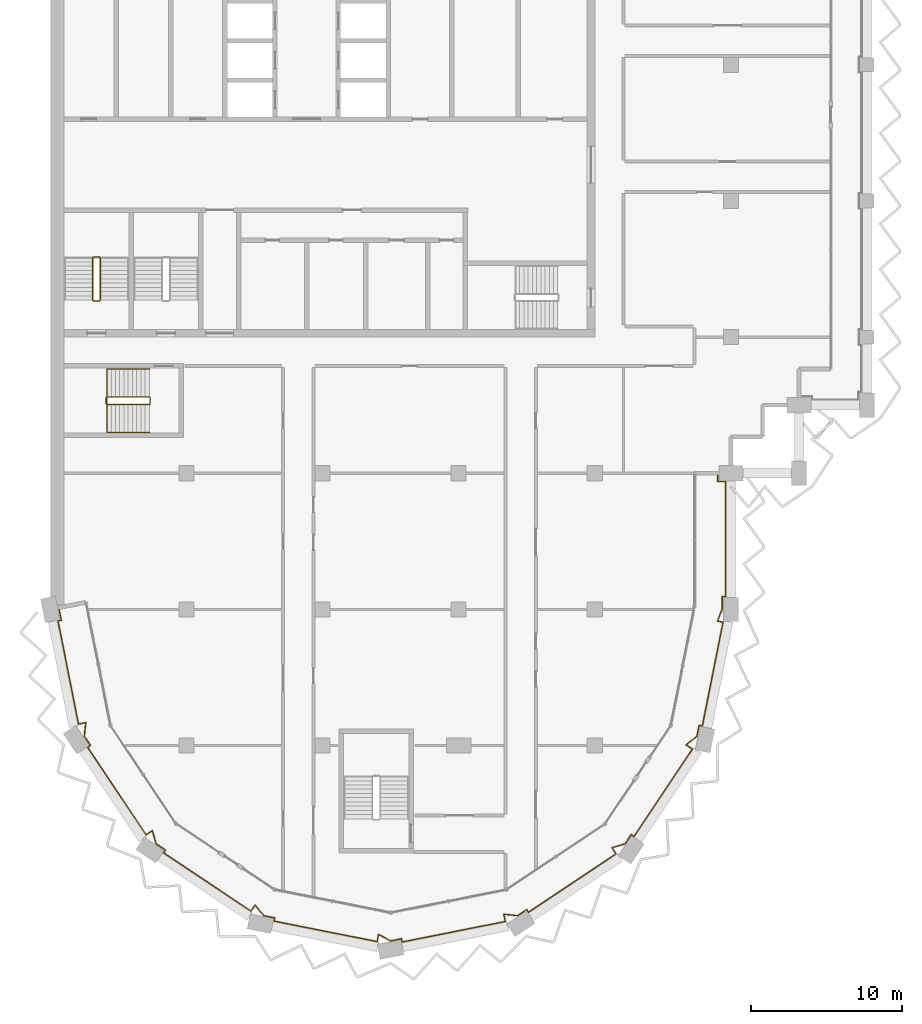
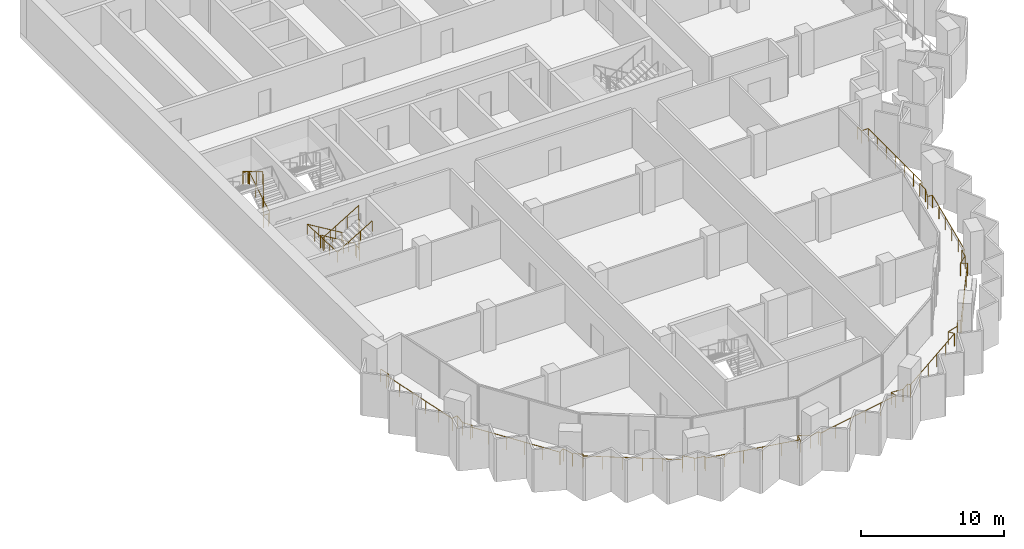
# One storey, part 14 of 16: 4 railings.
"""IFC4 building model written with IfcOpenShell, lengths in metres."""

from ifc_helpers import new_model, si_unit, direction, frame, origin, origin_2d, place, context, subcontext, project, spatial, circle, extrude, material, type_object, element, save


model = new_model("IFC4")

# Units and contexts
model_context = context("Model", 3, precision=1e-05, world=origin(), true_north=direction((0.0, 1.0)))
body_context = subcontext(model_context, "Body", "Model", "MODEL_VIEW")
ifc_project = project(units=[si_unit("LENGTHUNIT", "METRE"), si_unit("AREAUNIT", "SQUARE_METRE"), si_unit("VOLUMEUNIT", "CUBIC_METRE"), si_unit("PLANEANGLEUNIT", "RADIAN"), si_unit("MASSUNIT", "GRAM", prefix="KILO")], contexts=[model_context])

# Site, building, storey
site_placement = place(None, origin())
site = spatial("IfcSite", under=ifc_project, at=site_placement, CompositionType="ELEMENT")
building_placement = place(site_placement, origin())
building = spatial("IfcBuilding", under=site, at=building_placement, Name="Hunhe Ridgeline Campus", CompositionType="ELEMENT")
storey_placement = place(building_placement, frame((0.0, 0.0, 250.300048828125)))
storey = spatial("IfcBuildingStorey", under=building, at=storey_placement, Name="L64", CompositionType="ELEMENT", Elevation=250.300048828125)

# Railings
ifc_material_1 = material(Name="Steel Q355", Category="steel")
railing_type_1 = type_object("IfcRailingType", Name="Loggia guard 1100 Steel Q355", PredefinedType="GUARDRAIL", material=ifc_material_1)
railing_1_placement = place(storey_placement, frame((0.55908203125, 45.111083984375, 0.0)))
element("IfcRailing", 1, at=railing_1_placement, inside=storey, type_object=railing_type_1, Name="Loggia guard 1", PredefinedType="GUARDRAIL", context=body_context, shape_type="SweptSolid", body=[
    extrude(circle(Radius=0.02392578125, at=origin_2d()), frame((0.0, 0.0, 1.076171875), z_axis=(0.195066328581, -0.980790052689, 0.0), x_axis=(0.980790052689, 0.195066328581, 0.0)), (0.0, 0.0, 1.0), 0.849853515625),
    extrude(circle(Radius=0.02392578125, at=origin_2d()), frame((0.165771484375, -0.83349609375, 1.076171875), z_axis=(-0.980750988442, -0.195262640233, 0.0), x_axis=(0.195262640233, -0.980750988442, 0.0)), (0.0, 0.0, 1.0), 0.219970703125),
    extrude(circle(Radius=0.02392578125, at=origin_2d()), frame((-0.050048828125, -0.87646484375, 1.076171875), z_axis=(0.1951025318, -0.980782851647, 0.0), x_axis=(0.980782851647, 0.1951025318, 0.0)), (0.0, 0.0, 1.0), 6.94873046875),
    extrude(circle(Radius=0.02392578125, at=origin_2d()), frame((1.3056640625, -7.691650390625, 1.076171875), z_axis=(0.980791706313, 0.195058014004, 0.0), x_axis=(-0.195058014004, 0.980791706313, 0.0)), (0.0, 0.0, 1.0), 0.488037109375),
    extrude(circle(Radius=0.02392578125, at=origin_2d()), frame((1.784423828125, -7.596435546875, 1.076171875), z_axis=(-0.103312201106, -0.994648977832, 0.0), x_axis=(0.994648977832, -0.103312201106, 0.0)), (0.0, 0.0, 1.0), 0.907470703125),
    extrude(circle(Radius=0.02392578125, at=origin_2d()), frame((1.690673828125, -8.4990234375, 1.076171875), z_axis=(0.555464783965, -0.831540061437, 0.0), x_axis=(0.831540061437, 0.555464783965, 0.0)), (0.0, 0.0, 1.0), 0.736572265625),
    extrude(circle(Radius=0.02392578125, at=origin_2d()), frame((2.099853515625, -9.111572265625, 1.076171875), z_axis=(-0.831708467209, -0.555212594933, 0.0), x_axis=(0.555212594933, -0.831708467209, 0.0)), (0.0, 0.0, 1.0), 0.219970703125),
    extrude(circle(Radius=0.02392578125, at=origin_2d()), frame((1.9169921875, -9.233642578125, 1.076171875), z_axis=(0.555559363791, -0.831476874786, 0.0), x_axis=(0.831476874786, 0.555559363791, 0.0)), (0.0, 0.0, 1.0), 6.948486328125),
    extrude(circle(Radius=0.02392578125, at=origin_2d()), frame((5.77734375, -15.01123046875, 1.076171875), z_axis=(0.831588140797, 0.555392801615, 0.0), x_axis=(-0.555392801615, 0.831588140797, 0.0)), (0.0, 0.0, 1.0), 0.488037109375),
    extrude(circle(Radius=0.02392578125, at=origin_2d()), frame((6.18310546875, -14.740234375, 1.076171875), z_axis=(0.285150626135, -0.958482717849, 0.0), x_axis=(0.958482717849, 0.285150626135, 0.0)), (0.0, 0.0, 1.0), 0.907470703125),
    extrude(circle(Radius=0.02392578125, at=origin_2d()), frame((6.44189453125, -15.610107421875, 1.076171875), z_axis=(0.831540061437, -0.555464783965, 0.0), x_axis=(0.555464783965, 0.831540061437, 0.0)), (0.0, 0.0, 1.0), 0.736572265625),
    extrude(circle(Radius=0.02392578125, at=origin_2d()), frame((7.054443359375, -16.019287109375, 1.076171875), z_axis=(-0.555980009223, -0.831195662491, 0.0), x_axis=(0.831195662491, -0.555980009223, 0.0)), (0.0, 0.0, 1.0), 0.219970703125),
    extrude(circle(Radius=0.02392578125, at=origin_2d()), frame((6.93212890625, -16.2021484375, 1.076171875), z_axis=(0.831460644532, -0.555583654003, 0.0), x_axis=(0.555583654003, 0.831460644532, 0.0)), (0.0, 0.0, 1.0), 6.94873046875),
    extrude(circle(Radius=0.02392578125, at=origin_2d()), frame((12.709716796875, -20.062744140625, 1.076171875), z_axis=(0.555507638283, 0.831511433361, 0.0), x_axis=(-0.831511433361, 0.555507638283, 0.0)), (0.0, 0.0, 1.0), 0.48828125),
    extrude(circle(Radius=0.02392578125, at=origin_2d()), frame((12.98095703125, -19.65673828125, 1.076171875), z_axis=(0.630288754525, -0.776360796227, 0.0), x_axis=(0.776360796227, 0.630288754525, 0.0)), (0.0, 0.0, 1.0), 0.907470703125),
    extrude(circle(Radius=0.02392578125, at=origin_2d()), frame((13.552978515625, -20.361328125, 1.076171875), z_axis=(0.980758742397, -0.19522369019, 0.0), x_axis=(0.19522369019, 0.980758742397, 0.0)), (0.0, 0.0, 1.0), 0.736572265625),
    extrude(circle(Radius=0.02392578125, at=origin_2d()), frame((14.275390625, -20.505126953125, 1.076171875), z_axis=(-0.195262640233, -0.980750988442, 0.0), x_axis=(0.980750988442, -0.195262640233, 0.0)), (0.0, 0.0, 1.0), 0.219970703125),
    extrude(circle(Radius=0.02392578125, at=origin_2d()), frame((14.232421875, -20.720947265625, 1.076171875), z_axis=(0.980789574233, -0.195068734234, 0.0), x_axis=(0.195068734234, 0.980789574233, 0.0)), (0.0, 0.0, 1.0), 6.94873046875),
    extrude(circle(Radius=0.02392578125, at=origin_2d()), frame((21.047607421875, -22.076416015625, 1.076171875), z_axis=(0.195153744134, 0.980772662828, 0.0), x_axis=(-0.980772662828, 0.195153744134, 0.0)), (0.0, 0.0, 1.0), 0.48779296875),
    extrude(circle(Radius=0.02392578125, at=origin_2d()), frame((21.142822265625, -21.597900390625, 1.076171875), z_axis=(0.879371752487, -0.476135821934, 0.0), x_axis=(0.476135821934, 0.879371752487, 0.0)), (0.0, 0.0, 1.0), 0.907470703125),
    extrude(circle(Radius=0.02392578125, at=origin_2d()), frame((21.94091796875, -22.030029296875, 1.076171875), z_axis=(0.980758742397, 0.19522369019, 0.0), x_axis=(-0.19522369019, 0.980758742397, 0.0)), (0.0, 0.0, 1.0), 0.736572265625),
    extrude(circle(Radius=0.02392578125, at=origin_2d()), frame((22.663330078125, -21.88623046875, 1.076171875), z_axis=(0.195262640233, -0.980750988442, 0.0), x_axis=(0.980750988442, 0.195262640233, 0.0)), (0.0, 0.0, 1.0), 0.219970703125),
    extrude(circle(Radius=0.02392578125, at=origin_2d()), frame((22.706298828125, -22.10205078125, 1.076171875), z_axis=(0.980782851647, 0.1951025318, 0.0), x_axis=(-0.1951025318, 0.980782851647, 0.0)), (0.0, 0.0, 1.0), 6.94873046875),
    extrude(circle(Radius=0.02392578125, at=origin_2d()), frame((29.521484375, -20.746337890625, 1.076171875), z_axis=(-0.195058014004, 0.980791706313, 0.0), x_axis=(-0.980791706313, -0.195058014004, 0.0)), (0.0, 0.0, 1.0), 0.488037109375),
    extrude(circle(Radius=0.02392578125, at=origin_2d()), frame((29.42626953125, -20.267578125, 1.076171875), z_axis=(0.994648977832, -0.103312201106, 0.0), x_axis=(0.103312201106, 0.994648977832, 0.0)), (0.0, 0.0, 1.0), 0.907470703125),
    extrude(circle(Radius=0.02392578125, at=origin_2d()), frame((30.328857421875, -20.361328125, 1.076171875), z_axis=(0.831540061437, 0.555464783965, 0.0), x_axis=(-0.555464783965, 0.831540061437, 0.0)), (0.0, 0.0, 1.0), 0.736572265625),
    extrude(circle(Radius=0.02392578125, at=origin_2d()), frame((30.94140625, -19.9521484375, 1.076171875), z_axis=(0.555212594933, -0.831708467209, 0.0), x_axis=(0.831708467209, 0.555212594933, 0.0)), (0.0, 0.0, 1.0), 0.219970703125),
    extrude(circle(Radius=0.02392578125, at=origin_2d()), frame((31.0634765625, -20.135009765625, 1.076171875), z_axis=(0.831476874786, 0.555559363791, 0.0), x_axis=(-0.555559363791, 0.831476874786, 0.0)), (0.0, 0.0, 1.0), 6.948486328125),
    extrude(circle(Radius=0.02392578125, at=origin_2d()), frame((36.841064453125, -16.274658203125, 1.076171875), z_axis=(-0.555392801615, 0.831588140797, 0.0), x_axis=(-0.831588140797, -0.555392801615, 0.0)), (0.0, 0.0, 1.0), 0.488037109375),
    extrude(circle(Radius=0.02392578125, at=origin_2d()), frame((36.570068359375, -15.868896484375, 1.076171875), z_axis=(0.958482717849, 0.285150626135, 0.0), x_axis=(-0.285150626135, 0.958482717849, 0.0)), (0.0, 0.0, 1.0), 0.907470703125),
    extrude(circle(Radius=0.02392578125, at=origin_2d()), frame((37.43994140625, -15.610107421875, 1.076171875), z_axis=(0.555464783965, 0.831540061437, 0.0), x_axis=(-0.831540061437, 0.555464783965, 0.0)), (0.0, 0.0, 1.0), 0.736572265625),
    extrude(circle(Radius=0.02392578125, at=origin_2d()), frame((37.84912109375, -14.99755859375, 1.076171875), z_axis=(0.831195662491, -0.555980009223, 0.0), x_axis=(0.555980009223, 0.831195662491, 0.0)), (0.0, 0.0, 1.0), 0.219970703125),
    extrude(circle(Radius=0.02392578125, at=origin_2d()), frame((38.031982421875, -15.119873046875, 1.076171875), z_axis=(0.555583654003, 0.831460644532, 0.0), x_axis=(-0.831460644532, 0.555583654003, 0.0)), (0.0, 0.0, 1.0), 6.94873046875),
    extrude(circle(Radius=0.02392578125, at=origin_2d()), frame((41.892578125, -9.34228515625, 1.076171875), z_axis=(-0.831511433361, 0.555507638283, 0.0), x_axis=(-0.555507638283, -0.831511433361, 0.0)), (0.0, 0.0, 1.0), 0.48828125),
    extrude(circle(Radius=0.02392578125, at=origin_2d()), frame((41.486572265625, -9.071044921875, 1.076171875), z_axis=(0.776360796227, 0.630288754525, 0.0), x_axis=(-0.630288754525, 0.776360796227, 0.0)), (0.0, 0.0, 1.0), 0.907470703125),
    extrude(circle(Radius=0.02392578125, at=origin_2d()), frame((42.191162109375, -8.4990234375, 1.076171875), z_axis=(0.19522369019, 0.980758742397, 0.0), x_axis=(-0.980758742397, 0.19522369019, 0.0)), (0.0, 0.0, 1.0), 0.736572265625),
    extrude(circle(Radius=0.02392578125, at=origin_2d()), frame((42.3349609375, -7.776611328125, 1.076171875), z_axis=(0.980750988442, -0.195262640233, 0.0), x_axis=(0.195262640233, 0.980750988442, 0.0)), (0.0, 0.0, 1.0), 0.219970703125),
    extrude(circle(Radius=0.02392578125, at=origin_2d()), frame((42.55078125, -7.819580078125, 1.076171875), z_axis=(0.195082678264, 0.980786800809, 0.0), x_axis=(-0.980786800809, 0.195082678264, 0.0)), (0.0, 0.0, 1.0), 6.9970703125),
    extrude(circle(Radius=0.02392578125, at=origin_2d()), frame((43.915771484375, -0.95703125, 1.076171875), z_axis=(-0.980759647752, 0.195219141842, 0.0), x_axis=(-0.195219141842, -0.980759647752, 0.0)), (0.0, 0.0, 1.0), 0.366455078125),
    extrude(circle(Radius=0.02392578125, at=origin_2d()), frame((43.556396484375, -0.885498046875, 1.076171875), z_axis=(0.354074070723, 0.935217382453, 0.0), x_axis=(-0.935217382453, 0.354074070723, 0.0)), (0.0, 0.0, 1.0), 0.88818359375),
    extrude(circle(Radius=0.02392578125, at=origin_2d()), frame((43.870849609375, -0.054931640625, 1.076171875), z_axis=(0.0, 1.0, 0.0), x_axis=(-1.0, 0.0, 0.0)), (0.0, 0.0, 1.0), 0.7939453125),
    extrude(circle(Radius=0.02392578125, at=origin_2d()), frame((43.870849609375, 0.739013671875, 1.076171875), z_axis=(1.0, 0.0, 0.0), x_axis=(0.0, 1.0, 0.0)), (0.0, 0.0, 1.0), 0.219970703125),
    extrude(circle(Radius=0.02392578125, at=origin_2d()), frame((44.0908203125, 0.739013671875, 1.076171875), z_axis=(0.0, 1.0, 0.0), x_axis=(-1.0, 0.0, 0.0)), (0.0, 0.0, 1.0), 7.599853515625),
    extrude(circle(Radius=0.02392578125, at=origin_2d()), frame((44.0908203125, 8.3388671875, 1.076171875), z_axis=(-1.0, 0.0, 0.0), x_axis=(0.0, -1.0, 0.0)), (0.0, 0.0, 1.0), 0.52001953125),
    extrude(circle(Radius=0.02392578125, at=origin_2d()), frame((43.57080078125, 8.3388671875, 1.076171875), z_axis=(0.0, 1.0, 0.0), x_axis=(-1.0, 0.0, 0.0)), (0.0, 0.0, 1.0), 0.550048828125),
    extrude(circle(Radius=0.02099609375, at=origin_2d()), origin(), (0.0, 0.0, 1.0), 1.052001953125),
    extrude(circle(Radius=0.02099609375, at=origin_2d()), frame((0.165771484375, -0.83349609375, 0.0)), (0.0, 0.0, 1.0), 1.052001953125),
    extrude(circle(Radius=0.02099609375, at=origin_2d()), frame((-0.050048828125, -0.87646484375, 0.0)), (0.0, 0.0, 1.0), 1.052001953125),
    extrude(circle(Radius=0.02099609375, at=origin_2d()), frame((0.22119140625, -2.239501953125, 0.0)), (0.0, 0.0, 1.0), 1.052001953125),
    extrude(circle(Radius=0.02099609375, at=origin_2d()), frame((0.4921875, -3.6025390625, 0.0)), (0.0, 0.0, 1.0), 1.052001953125),
    extrude(circle(Radius=0.02099609375, at=origin_2d()), frame((0.763427734375, -4.965576171875, 0.0)), (0.0, 0.0, 1.0), 1.052001953125),
    extrude(circle(Radius=0.02099609375, at=origin_2d()), frame((1.034423828125, -6.32861328125, 0.0)), (0.0, 0.0, 1.0), 1.052001953125),
    extrude(circle(Radius=0.02099609375, at=origin_2d()), frame((1.3056640625, -7.691650390625, 0.0)), (0.0, 0.0, 1.0), 1.052001953125),
    extrude(circle(Radius=0.02099609375, at=origin_2d()), frame((1.784423828125, -7.596435546875, 0.0)), (0.0, 0.0, 1.0), 1.052001953125),
    extrude(circle(Radius=0.02099609375, at=origin_2d()), frame((1.690673828125, -8.4990234375, 0.0)), (0.0, 0.0, 1.0), 1.052001953125),
    extrude(circle(Radius=0.02099609375, at=origin_2d()), frame((2.099853515625, -9.111572265625, 0.0)), (0.0, 0.0, 1.0), 1.052001953125),
    extrude(circle(Radius=0.02099609375, at=origin_2d()), frame((1.9169921875, -9.233642578125, 0.0)), (0.0, 0.0, 1.0), 1.052001953125),
    extrude(circle(Radius=0.02099609375, at=origin_2d()), frame((2.68896484375, -10.38916015625, 0.0)), (0.0, 0.0, 1.0), 1.052001953125),
    extrude(circle(Radius=0.02099609375, at=origin_2d()), frame((3.461181640625, -11.544677734375, 0.0)), (0.0, 0.0, 1.0), 1.052001953125),
    extrude(circle(Radius=0.02099609375, at=origin_2d()), frame((4.233154296875, -12.7001953125, 0.0)), (0.0, 0.0, 1.0), 1.052001953125),
    extrude(circle(Radius=0.02099609375, at=origin_2d()), frame((5.00537109375, -13.855712890625, 0.0)), (0.0, 0.0, 1.0), 1.052001953125),
    extrude(circle(Radius=0.02099609375, at=origin_2d()), frame((5.77734375, -15.01123046875, 0.0)), (0.0, 0.0, 1.0), 1.052001953125),
    extrude(circle(Radius=0.02099609375, at=origin_2d()), frame((6.18310546875, -14.740234375, 0.0)), (0.0, 0.0, 1.0), 1.052001953125),
    extrude(circle(Radius=0.02099609375, at=origin_2d()), frame((6.44189453125, -15.610107421875, 0.0)), (0.0, 0.0, 1.0), 1.052001953125),
    extrude(circle(Radius=0.02099609375, at=origin_2d()), frame((7.054443359375, -16.019287109375, 0.0)), (0.0, 0.0, 1.0), 1.052001953125),
    extrude(circle(Radius=0.02099609375, at=origin_2d()), frame((6.93212890625, -16.2021484375, 0.0)), (0.0, 0.0, 1.0), 1.052001953125),
    extrude(circle(Radius=0.02099609375, at=origin_2d()), frame((8.087646484375, -16.974365234375, 0.0)), (0.0, 0.0, 1.0), 1.052001953125),
    extrude(circle(Radius=0.02099609375, at=origin_2d()), frame((9.2431640625, -17.746337890625, 0.0)), (0.0, 0.0, 1.0), 1.052001953125),
    extrude(circle(Radius=0.02099609375, at=origin_2d()), frame((10.398681640625, -18.5185546875, 0.0)), (0.0, 0.0, 1.0), 1.052001953125),
    extrude(circle(Radius=0.02099609375, at=origin_2d()), frame((11.55419921875, -19.29052734375, 0.0)), (0.0, 0.0, 1.0), 1.052001953125),
    extrude(circle(Radius=0.02099609375, at=origin_2d()), frame((12.709716796875, -20.062744140625, 0.0)), (0.0, 0.0, 1.0), 1.052001953125),
    extrude(circle(Radius=0.02099609375, at=origin_2d()), frame((12.98095703125, -19.65673828125, 0.0)), (0.0, 0.0, 1.0), 1.052001953125),
    extrude(circle(Radius=0.02099609375, at=origin_2d()), frame((13.552978515625, -20.361328125, 0.0)), (0.0, 0.0, 1.0), 1.052001953125),
    extrude(circle(Radius=0.02099609375, at=origin_2d()), frame((14.275390625, -20.505126953125, 0.0)), (0.0, 0.0, 1.0), 1.052001953125),
    extrude(circle(Radius=0.02099609375, at=origin_2d()), frame((14.232421875, -20.720947265625, 0.0)), (0.0, 0.0, 1.0), 1.052001953125),
    extrude(circle(Radius=0.02099609375, at=origin_2d()), frame((15.595458984375, -20.991943359375, 0.0)), (0.0, 0.0, 1.0), 1.052001953125),
    extrude(circle(Radius=0.02099609375, at=origin_2d()), frame((16.95849609375, -21.26318359375, 0.0)), (0.0, 0.0, 1.0), 1.052001953125),
    extrude(circle(Radius=0.02099609375, at=origin_2d()), frame((18.321533203125, -21.5341796875, 0.0)), (0.0, 0.0, 1.0), 1.052001953125),
    extrude(circle(Radius=0.02099609375, at=origin_2d()), frame((19.6845703125, -21.805419921875, 0.0)), (0.0, 0.0, 1.0), 1.052001953125),
    extrude(circle(Radius=0.02099609375, at=origin_2d()), frame((21.047607421875, -22.076416015625, 0.0)), (0.0, 0.0, 1.0), 1.052001953125),
    extrude(circle(Radius=0.02099609375, at=origin_2d()), frame((21.142822265625, -21.597900390625, 0.0)), (0.0, 0.0, 1.0), 1.052001953125),
    extrude(circle(Radius=0.02099609375, at=origin_2d()), frame((21.94091796875, -22.030029296875, 0.0)), (0.0, 0.0, 1.0), 1.052001953125),
    extrude(circle(Radius=0.02099609375, at=origin_2d()), frame((22.663330078125, -21.88623046875, 0.0)), (0.0, 0.0, 1.0), 1.052001953125),
    extrude(circle(Radius=0.02099609375, at=origin_2d()), frame((22.706298828125, -22.10205078125, 0.0)), (0.0, 0.0, 1.0), 1.052001953125),
    extrude(circle(Radius=0.02099609375, at=origin_2d()), frame((24.0693359375, -21.830810546875, 0.0)), (0.0, 0.0, 1.0), 1.052001953125),
    extrude(circle(Radius=0.02099609375, at=origin_2d()), frame((25.432373046875, -21.559814453125, 0.0)), (0.0, 0.0, 1.0), 1.052001953125),
    extrude(circle(Radius=0.02099609375, at=origin_2d()), frame((26.79541015625, -21.28857421875, 0.0)), (0.0, 0.0, 1.0), 1.052001953125),
    extrude(circle(Radius=0.02099609375, at=origin_2d()), frame((28.158447265625, -21.017578125, 0.0)), (0.0, 0.0, 1.0), 1.052001953125),
    extrude(circle(Radius=0.02099609375, at=origin_2d()), frame((29.521484375, -20.746337890625, 0.0)), (0.0, 0.0, 1.0), 1.052001953125),
    extrude(circle(Radius=0.02099609375, at=origin_2d()), frame((29.42626953125, -20.267578125, 0.0)), (0.0, 0.0, 1.0), 1.052001953125),
    extrude(circle(Radius=0.02099609375, at=origin_2d()), frame((30.328857421875, -20.361328125, 0.0)), (0.0, 0.0, 1.0), 1.052001953125),
    extrude(circle(Radius=0.02099609375, at=origin_2d()), frame((30.94140625, -19.9521484375, 0.0)), (0.0, 0.0, 1.0), 1.052001953125),
    extrude(circle(Radius=0.02099609375, at=origin_2d()), frame((31.0634765625, -20.135009765625, 0.0)), (0.0, 0.0, 1.0), 1.052001953125),
    extrude(circle(Radius=0.02099609375, at=origin_2d()), frame((32.218994140625, -19.363037109375, 0.0)), (0.0, 0.0, 1.0), 1.052001953125),
    extrude(circle(Radius=0.02099609375, at=origin_2d()), frame((33.37451171875, -18.5908203125, 0.0)), (0.0, 0.0, 1.0), 1.052001953125),
    extrude(circle(Radius=0.02099609375, at=origin_2d()), frame((34.530029296875, -17.81884765625, 0.0)), (0.0, 0.0, 1.0), 1.052001953125),
    extrude(circle(Radius=0.02099609375, at=origin_2d()), frame((35.685546875, -17.046630859375, 0.0)), (0.0, 0.0, 1.0), 1.052001953125),
    extrude(circle(Radius=0.02099609375, at=origin_2d()), frame((36.841064453125, -16.274658203125, 0.0)), (0.0, 0.0, 1.0), 1.052001953125),
    extrude(circle(Radius=0.02099609375, at=origin_2d()), frame((36.570068359375, -15.868896484375, 0.0)), (0.0, 0.0, 1.0), 1.052001953125),
    extrude(circle(Radius=0.02099609375, at=origin_2d()), frame((37.43994140625, -15.610107421875, 0.0)), (0.0, 0.0, 1.0), 1.052001953125),
    extrude(circle(Radius=0.02099609375, at=origin_2d()), frame((37.84912109375, -14.99755859375, 0.0)), (0.0, 0.0, 1.0), 1.052001953125),
    extrude(circle(Radius=0.02099609375, at=origin_2d()), frame((38.031982421875, -15.119873046875, 0.0)), (0.0, 0.0, 1.0), 1.052001953125),
    extrude(circle(Radius=0.02099609375, at=origin_2d()), frame((38.80419921875, -13.96435546875, 0.0)), (0.0, 0.0, 1.0), 1.052001953125),
    extrude(circle(Radius=0.02099609375, at=origin_2d()), frame((39.576171875, -12.808837890625, 0.0)), (0.0, 0.0, 1.0), 1.052001953125),
    extrude(circle(Radius=0.02099609375, at=origin_2d()), frame((40.348388671875, -11.6533203125, 0.0)), (0.0, 0.0, 1.0), 1.052001953125),
    extrude(circle(Radius=0.02099609375, at=origin_2d()), frame((41.120361328125, -10.497802734375, 0.0)), (0.0, 0.0, 1.0), 1.052001953125),
    extrude(circle(Radius=0.02099609375, at=origin_2d()), frame((41.892578125, -9.34228515625, 0.0)), (0.0, 0.0, 1.0), 1.052001953125),
    extrude(circle(Radius=0.02099609375, at=origin_2d()), frame((41.486572265625, -9.071044921875, 0.0)), (0.0, 0.0, 1.0), 1.052001953125),
    extrude(circle(Radius=0.02099609375, at=origin_2d()), frame((42.191162109375, -8.4990234375, 0.0)), (0.0, 0.0, 1.0), 1.052001953125),
    extrude(circle(Radius=0.02099609375, at=origin_2d()), frame((42.3349609375, -7.776611328125, 0.0)), (0.0, 0.0, 1.0), 1.052001953125),
    extrude(circle(Radius=0.02099609375, at=origin_2d()), frame((42.55078125, -7.819580078125, 0.0)), (0.0, 0.0, 1.0), 1.052001953125),
    extrude(circle(Radius=0.02099609375, at=origin_2d()), frame((42.82373046875, -6.447021484375, 0.0)), (0.0, 0.0, 1.0), 1.052001953125),
    extrude(circle(Radius=0.02099609375, at=origin_2d()), frame((43.0966796875, -5.074462890625, 0.0)), (0.0, 0.0, 1.0), 1.052001953125),
    extrude(circle(Radius=0.02099609375, at=origin_2d()), frame((43.369873046875, -3.7021484375, 0.0)), (0.0, 0.0, 1.0), 1.052001953125),
    extrude(circle(Radius=0.02099609375, at=origin_2d()), frame((43.642822265625, -2.32958984375, 0.0)), (0.0, 0.0, 1.0), 1.052001953125),
    extrude(circle(Radius=0.02099609375, at=origin_2d()), frame((43.915771484375, -0.95703125, 0.0)), (0.0, 0.0, 1.0), 1.052001953125),
    extrude(circle(Radius=0.02099609375, at=origin_2d()), frame((43.556396484375, -0.885498046875, 0.0)), (0.0, 0.0, 1.0), 1.052001953125),
    extrude(circle(Radius=0.02099609375, at=origin_2d()), frame((43.870849609375, -0.054931640625, 0.0)), (0.0, 0.0, 1.0), 1.052001953125),
    extrude(circle(Radius=0.02099609375, at=origin_2d()), frame((43.870849609375, 0.739013671875, 0.0)), (0.0, 0.0, 1.0), 1.052001953125),
    extrude(circle(Radius=0.02099609375, at=origin_2d()), frame((44.0908203125, 0.739013671875, 0.0)), (0.0, 0.0, 1.0), 1.052001953125),
    extrude(circle(Radius=0.02099609375, at=origin_2d()), frame((44.0908203125, 2.005615234375, 0.0)), (0.0, 0.0, 1.0), 1.052001953125),
    extrude(circle(Radius=0.02099609375, at=origin_2d()), frame((44.0908203125, 3.272216796875, 0.0)), (0.0, 0.0, 1.0), 1.052001953125),
    extrude(circle(Radius=0.02099609375, at=origin_2d()), frame((44.0908203125, 4.5390625, 0.0)), (0.0, 0.0, 1.0), 1.052001953125),
    extrude(circle(Radius=0.02099609375, at=origin_2d()), frame((44.0908203125, 5.8056640625, 0.0)), (0.0, 0.0, 1.0), 1.052001953125),
    extrude(circle(Radius=0.02099609375, at=origin_2d()), frame((44.0908203125, 7.072265625, 0.0)), (0.0, 0.0, 1.0), 1.052001953125),
    extrude(circle(Radius=0.02099609375, at=origin_2d()), frame((44.0908203125, 8.3388671875, 0.0)), (0.0, 0.0, 1.0), 1.052001953125),
    extrude(circle(Radius=0.02099609375, at=origin_2d()), frame((43.57080078125, 8.3388671875, 0.0)), (0.0, 0.0, 1.0), 1.052001953125),
    extrude(circle(Radius=0.02099609375, at=origin_2d()), frame((43.57080078125, 8.888916015625, 0.0)), (0.0, 0.0, 1.0), 1.052001953125),
])
ifc_material_2 = material(Name="Stainless steel balustrade", Category="steel")
railing_type_2 = type_object("IfcRailingType", Name="Stair guard 1100 stainless", PredefinedType="GUARDRAIL", material=ifc_material_2)
railing_2_placement = place(storey_placement, frame((3.300048828125, 65.449951171875, 0.168212890625)))
element("IfcRailing", 2, at=railing_2_placement, inside=storey, type_object=railing_type_2, Name="L64 stair S3 guard", PredefinedType="GUARDRAIL", context=body_context, shape_type="SweptSolid", body=[
    extrude(circle(Radius=0.02392578125, at=origin_2d()), frame((0.0, 0.0, 1.076171875), z_axis=(0.0, 0.857275202839, 0.514858452973), x_axis=(-1.0, 0.0, 0.0)), (0.0, 0.0, 1.0), 3.26611328125),
    extrude(circle(Radius=0.02392578125, at=origin_2d()), frame((0.0, 2.800048828125, 2.7578125), z_axis=(-0.707106781187, 0.707106781187, 0.0), x_axis=(-0.707106781187, -0.707106781187, 0.0)), (0.0, 0.0, 1.0), 0.07080078125),
    extrude(circle(Radius=0.02392578125, at=origin_2d()), frame((-0.050048828125, 2.85009765625, 2.7578125), z_axis=(-1.0, 0.0, 0.0), x_axis=(0.0, -1.0, 0.0)), (0.0, 0.0, 1.0), 0.39990234375),
    extrude(circle(Radius=0.02392578125, at=origin_2d()), frame((-0.449951171875, 2.85009765625, 2.7578125), z_axis=(-0.274243871929, -0.274243871929, 0.92172696468), x_axis=(0.707106781187, -0.707106781187, 0.0)), (0.0, 0.0, 1.0), 0.1826171875),
    extrude(circle(Radius=0.02392578125, at=origin_2d()), frame((-0.5, 2.800048828125, 2.92578125), z_axis=(0.0, -0.857242210791, 0.514913383045), x_axis=(1.0, 0.0, 0.0)), (0.0, 0.0, 1.0), 3.266357421875),
    extrude(circle(Radius=0.02392578125, at=origin_2d()), frame((-0.5, 0.0, 4.60791015625), z_axis=(0.013524414389, -0.013524414389, -0.999817073484), x_axis=(0.707106781187, 0.707106781187, 0.0)), (0.0, 0.0, 1.0), 3.70068359375),
    extrude(circle(Radius=0.02392578125, at=origin_2d()), frame((-0.449951171875, -0.050048828125, 0.90771484375), z_axis=(1.0, 0.0, 0.0), x_axis=(0.0, 1.0, 0.0)), (0.0, 0.0, 1.0), 0.39990234375),
    extrude(circle(Radius=0.02099609375, at=origin_2d()), origin(), (0.0, 0.0, 1.0), 1.052001953125),
    extrude(circle(Radius=0.02099609375, at=origin_2d()), frame((0.0, 0.933349609375, 0.560546875)), (0.0, 0.0, 1.0), 1.052001953125),
    extrude(circle(Radius=0.02099609375, at=origin_2d()), frame((0.0, 1.86669921875, 1.12109375)), (0.0, 0.0, 1.0), 1.052001953125),
    extrude(circle(Radius=0.02099609375, at=origin_2d()), frame((0.0, 2.800048828125, 1.681640625)), (0.0, 0.0, 1.0), 1.052001953125),
    extrude(circle(Radius=0.02099609375, at=origin_2d()), frame((-0.050048828125, 2.85009765625, 1.681640625)), (0.0, 0.0, 1.0), 1.052001953125),
    extrude(circle(Radius=0.02099609375, at=origin_2d()), frame((-0.449951171875, 2.85009765625, 1.681640625)), (0.0, 0.0, 1.0), 1.052001953125),
    extrude(circle(Radius=0.02099609375, at=origin_2d()), frame((-0.5, 2.800048828125, 1.849853515625)), (0.0, 0.0, 1.0), 1.052001953125),
    extrude(circle(Radius=0.02099609375, at=origin_2d()), frame((-0.5, 1.86669921875, 2.410400390625)), (0.0, 0.0, 1.0), 1.052001953125),
    extrude(circle(Radius=0.02099609375, at=origin_2d()), frame((-0.5, 0.933349609375, 2.97119140625)), (0.0, 0.0, 1.0), 1.052001953125),
    extrude(circle(Radius=0.02099609375, at=origin_2d()), frame((-0.5, 0.0, 3.53173828125)), (0.0, 0.0, 1.0), 1.052001953125),
    extrude(circle(Radius=0.02099609375, at=origin_2d()), frame((-0.487548828125, -0.012451171875, 2.606689453125)), (0.0, 0.0, 1.0), 1.052001953125),
    extrude(circle(Radius=0.02099609375, at=origin_2d()), frame((-0.47509765625, -0.02490234375, 1.681640625)), (0.0, 0.0, 1.0), 1.052001953125),
    extrude(circle(Radius=0.02099609375, at=origin_2d()), frame((-0.46240234375, -0.03759765625, 0.7568359375)), (0.0, 0.0, 1.0), 1.052001953125),
    extrude(circle(Radius=0.02099609375, at=origin_2d()), frame((-0.449951171875, -0.050048828125, -0.168212890625)), (0.0, 0.0, 1.0), 1.052001953125),
    extrude(circle(Radius=0.02099609375, at=origin_2d()), frame((-0.050048828125, -0.050048828125, -0.168212890625)), (0.0, 0.0, 1.0), 1.052001953125),
])
railing_3_placement = place(storey_placement, frame((6.550048828125, 59.050048828125, 0.168212890625)))
element("IfcRailing", 3, at=railing_3_placement, inside=storey, type_object=railing_type_2, Name="L64 stair W2 guard", PredefinedType="GUARDRAIL", context=body_context, shape_type="SweptSolid", body=[
    extrude(circle(Radius=0.02392578125, at=origin_2d()), frame((0.0, 0.0, 1.076171875), z_axis=(-0.857275202839, 0.0, 0.514858452973), x_axis=(0.0, -1.0, 0.0)), (0.0, 0.0, 1.0), 3.26611328125),
    extrude(circle(Radius=0.02392578125, at=origin_2d()), frame((-2.800048828125, 0.0, 2.7578125), z_axis=(-0.707106781187, -0.707106781187, 0.0), x_axis=(0.707106781187, -0.707106781187, 0.0)), (0.0, 0.0, 1.0), 0.07080078125),
    extrude(circle(Radius=0.02392578125, at=origin_2d()), frame((-2.85009765625, -0.050048828125, 2.7578125), z_axis=(0.0, -1.0, 0.0), x_axis=(1.0, 0.0, 0.0)), (0.0, 0.0, 1.0), 0.39990234375),
    extrude(circle(Radius=0.02392578125, at=origin_2d()), frame((-2.85009765625, -0.449951171875, 2.7578125), z_axis=(0.274243871929, -0.274243871929, 0.92172696468), x_axis=(0.707106781187, 0.707106781187, 0.0)), (0.0, 0.0, 1.0), 0.1826171875),
    extrude(circle(Radius=0.02392578125, at=origin_2d()), frame((-2.800048828125, -0.5, 2.92578125), z_axis=(0.857242210791, 0.0, 0.514913383045), x_axis=(0.0, 1.0, 0.0)), (0.0, 0.0, 1.0), 3.266357421875),
    extrude(circle(Radius=0.02392578125, at=origin_2d()), frame((0.0, -0.5, 4.60791015625), z_axis=(0.013524414389, 0.013524414389, -0.999817073484), x_axis=(-0.707106781187, 0.707106781187, 0.0)), (0.0, 0.0, 1.0), 3.70068359375),
    extrude(circle(Radius=0.02392578125, at=origin_2d()), frame((0.050048828125, -0.449951171875, 0.90771484375), z_axis=(0.0, 1.0, 0.0), x_axis=(-1.0, 0.0, 0.0)), (0.0, 0.0, 1.0), 0.39990234375),
    extrude(circle(Radius=0.02099609375, at=origin_2d()), origin(), (0.0, 0.0, 1.0), 1.052001953125),
    extrude(circle(Radius=0.02099609375, at=origin_2d()), frame((-0.933349609375, 0.0, 0.560546875)), (0.0, 0.0, 1.0), 1.052001953125),
    extrude(circle(Radius=0.02099609375, at=origin_2d()), frame((-1.86669921875, 0.0, 1.12109375)), (0.0, 0.0, 1.0), 1.052001953125),
    extrude(circle(Radius=0.02099609375, at=origin_2d()), frame((-2.800048828125, 0.0, 1.681640625)), (0.0, 0.0, 1.0), 1.052001953125),
    extrude(circle(Radius=0.02099609375, at=origin_2d()), frame((-2.85009765625, -0.050048828125, 1.681640625)), (0.0, 0.0, 1.0), 1.052001953125),
    extrude(circle(Radius=0.02099609375, at=origin_2d()), frame((-2.85009765625, -0.449951171875, 1.681640625)), (0.0, 0.0, 1.0), 1.052001953125),
    extrude(circle(Radius=0.02099609375, at=origin_2d()), frame((-2.800048828125, -0.5, 1.849853515625)), (0.0, 0.0, 1.0), 1.052001953125),
    extrude(circle(Radius=0.02099609375, at=origin_2d()), frame((-1.86669921875, -0.5, 2.410400390625)), (0.0, 0.0, 1.0), 1.052001953125),
    extrude(circle(Radius=0.02099609375, at=origin_2d()), frame((-0.933349609375, -0.5, 2.97119140625)), (0.0, 0.0, 1.0), 1.052001953125),
    extrude(circle(Radius=0.02099609375, at=origin_2d()), frame((0.0, -0.5, 3.53173828125)), (0.0, 0.0, 1.0), 1.052001953125),
    extrude(circle(Radius=0.02099609375, at=origin_2d()), frame((0.012451171875, -0.487548828125, 2.606689453125)), (0.0, 0.0, 1.0), 1.052001953125),
    extrude(circle(Radius=0.02099609375, at=origin_2d()), frame((0.02490234375, -0.47509765625, 1.681640625)), (0.0, 0.0, 1.0), 1.052001953125),
    extrude(circle(Radius=0.02099609375, at=origin_2d()), frame((0.03759765625, -0.46240234375, 0.7568359375)), (0.0, 0.0, 1.0), 1.052001953125),
    extrude(circle(Radius=0.02099609375, at=origin_2d()), frame((0.050048828125, -0.449951171875, -0.168212890625)), (0.0, 0.0, 1.0), 1.052001953125),
    extrude(circle(Radius=0.02099609375, at=origin_2d()), frame((0.050048828125, -0.050048828125, -0.168212890625)), (0.0, 0.0, 1.0), 1.052001953125),
])
ifc_material_3 = material(Name="Stainless steel handrail", Category="steel")
railing_type_3 = type_object("IfcRailingType", Name="Stair handrail 900 stainless", PredefinedType="HANDRAIL", material=ifc_material_3)
railing_4_placement = place(storey_placement, frame((6.550048828125, 60.89990234375, 0.168212890625)))
element("IfcRailing", 4, at=railing_4_placement, inside=storey, type_object=railing_type_3, Name="L64 stair W2 handrail", PredefinedType="HANDRAIL", context=body_context, shape_type="SweptSolid", body=[
    extrude(circle(Radius=0.02392578125, at=origin_2d()), frame((0.0, 0.0, 0.8759765625), z_axis=(-0.857275202839, 0.0, 0.514858452973), x_axis=(0.0, -1.0, 0.0)), (0.0, 0.0, 1.0), 3.26611328125),
    extrude(circle(Radius=0.02392578125, at=origin_2d()), frame((-2.800048828125, 0.0, 2.5576171875), z_axis=(0.0, -0.999198916169, 0.040019069537), x_axis=(1.0, 0.0, 0.0)), (0.0, 0.0, 1.0), 4.203369140625),
    extrude(circle(Radius=0.02392578125, at=origin_2d()), frame((-2.800048828125, -4.199951171875, 2.7255859375), z_axis=(0.857242210791, 0.0, 0.514913383045), x_axis=(0.0, 1.0, 0.0)), (0.0, 0.0, 1.0), 3.266357421875),
    extrude(circle(Radius=0.02099609375, at=origin_2d()), origin(), (0.0, 0.0, 1.0), 0.851806640625),
    extrude(circle(Radius=0.02099609375, at=origin_2d()), frame((-0.933349609375, 0.0, 0.560546875)), (0.0, 0.0, 1.0), 0.851806640625),
    extrude(circle(Radius=0.02099609375, at=origin_2d()), frame((-1.86669921875, 0.0, 1.12109375)), (0.0, 0.0, 1.0), 0.851806640625),
    extrude(circle(Radius=0.02099609375, at=origin_2d()), frame((-2.800048828125, 0.0, 1.681640625)), (0.0, 0.0, 1.0), 0.851806640625),
    extrude(circle(Radius=0.02099609375, at=origin_2d()), frame((-2.800048828125, -1.050048828125, 1.7236328125)), (0.0, 0.0, 1.0), 0.851806640625),
    extrude(circle(Radius=0.02099609375, at=origin_2d()), frame((-2.800048828125, -2.10009765625, 1.765625)), (0.0, 0.0, 1.0), 0.851806640625),
    extrude(circle(Radius=0.02099609375, at=origin_2d()), frame((-2.800048828125, -3.14990234375, 1.807861328125)), (0.0, 0.0, 1.0), 0.851806640625),
    extrude(circle(Radius=0.02099609375, at=origin_2d()), frame((-2.800048828125, -4.199951171875, 1.849853515625)), (0.0, 0.0, 1.0), 0.851806640625),
    extrude(circle(Radius=0.02099609375, at=origin_2d()), frame((-1.86669921875, -4.199951171875, 2.410400390625)), (0.0, 0.0, 1.0), 0.851806640625),
    extrude(circle(Radius=0.02099609375, at=origin_2d()), frame((-0.933349609375, -4.199951171875, 2.97119140625)), (0.0, 0.0, 1.0), 0.851806640625),
    extrude(circle(Radius=0.02099609375, at=origin_2d()), frame((0.0, -4.199951171875, 3.53173828125)), (0.0, 0.0, 1.0), 0.851806640625),
])

save(model, "model.ifc")
